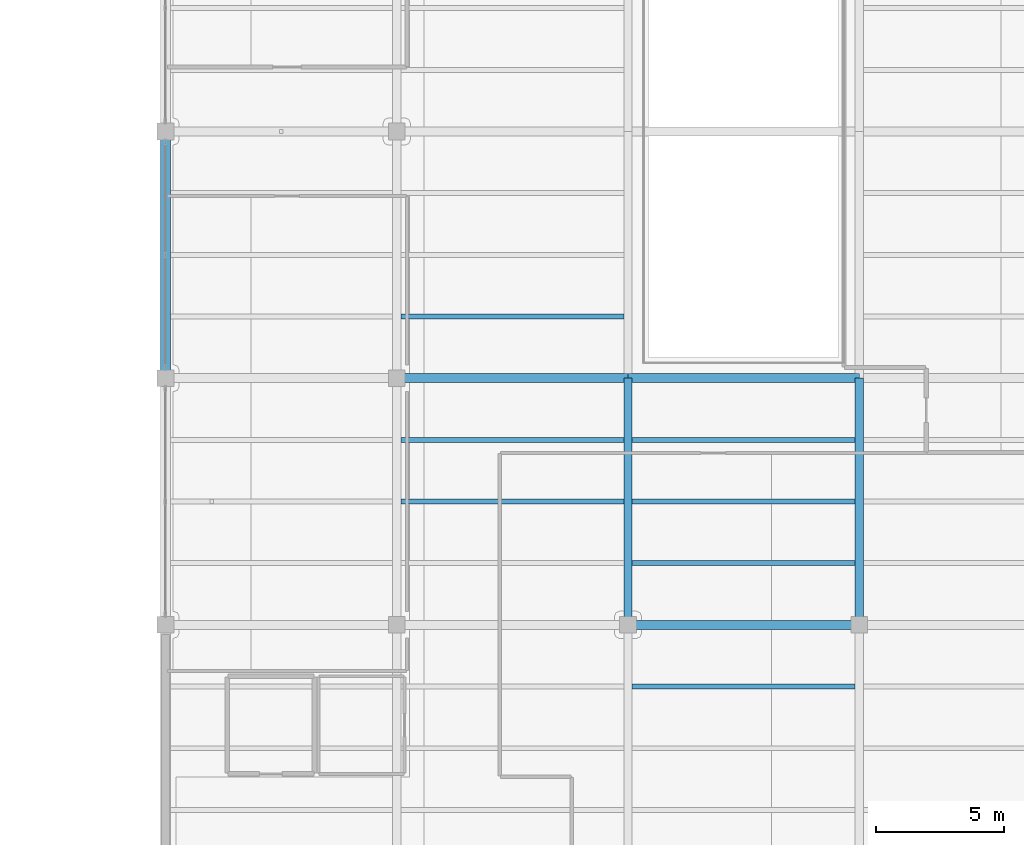
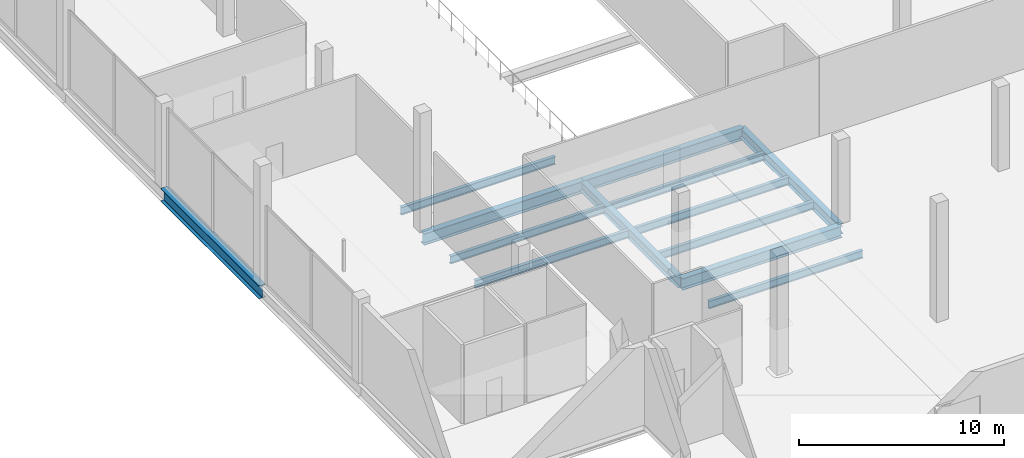
# One storey, part 6 of 43: 13 beams.
"""IFC4 building model written with IfcOpenShell, lengths in metres."""

from ifc_helpers import new_model, si_unit, direction, frame, origin, origin_2d, place, context, subcontext, project, spatial, i_section, extrude, material, material_profile, profile_set, type_object, element, save


model = new_model("IFC4")

# Units and contexts
model_context = context("Model", 3, precision=1e-05, world=origin(), true_north=direction((0.0, 1.0)))
body_context = subcontext(model_context, "Body", "Model", "MODEL_VIEW")
ifc_project = project(units=[si_unit("LENGTHUNIT", "METRE"), si_unit("AREAUNIT", "SQUARE_METRE"), si_unit("VOLUMEUNIT", "CUBIC_METRE"), si_unit("PLANEANGLEUNIT", "RADIAN"), si_unit("MASSUNIT", "GRAM", prefix="KILO")], contexts=[model_context])

# Site, building, storey
site_placement = place(None, origin())
site = spatial("IfcSite", under=ifc_project, at=site_placement, CompositionType="ELEMENT")
building_placement = place(site_placement, origin())
building = spatial("IfcBuilding", under=site, at=building_placement, Name="Qorvath Tower", CompositionType="ELEMENT")
storey_placement = place(building_placement, frame((0.0, 0.0, 22.0)))
storey = spatial("IfcBuildingStorey", under=building, at=storey_placement, Name="L04", CompositionType="ELEMENT", Elevation=22.0)

# Beams
ifc_material_1 = material(Name="Steel ASTM A992 Grade 50", Category="steel")
ifc_material_profile_1 = material_profile(ifc_material_1, i_section(OverallWidth=0.381103515625, OverallDepth=0.77294921875, WebThickness=0.0166015625, FlangeThickness=0.027099609375, FilletRadius=0.01904296875, at=origin_2d()), Name="W30x173")
ifc_profile_set_1 = profile_set([ifc_material_profile_1], Name="Steel ASTM A992 Grade 50")
beam_type_1 = type_object("IfcBeamType", Name="BM-FG3", PredefinedType="BEAM", material=ifc_profile_set_1)
beam_placement = place(storey_placement, frame((32.39990234375, -9.60009765625, -0.646484375), z_axis=(0.0, 1.0, 0.0), x_axis=(-1.0, 0.0, 0.0)))
element("IfcBeam", 1, at=beam_placement, inside=storey, type_object=beam_type_1, Name="Library N-S Girder L04-1-4", PredefinedType="BEAM", context=body_context, shape_type="SweptSolid", body=[
    extrude(i_section(OverallWidth=0.381103515625, OverallDepth=0.77294921875, WebThickness=0.0166015625, FlangeThickness=0.027099609375, FilletRadius=0.01904296875, at=origin_2d()), origin(), (0.0, 0.0, 1.0), 9.60009765625),
])
ifc_material_2 = material(Name="Steel ASTM A992 Grade 50", Category="steel")
ifc_material_profile_2 = material_profile(ifc_material_2, i_section(OverallWidth=0.35595703125, OverallDepth=0.696044921875, WebThickness=0.015380859375, FlangeThickness=0.02490234375, FilletRadius=0.01806640625, at=origin_2d()), Name="W27x146")
ifc_profile_set_2 = profile_set([ifc_material_profile_2], Name="Steel ASTM A992 Grade 50")
beam_type_2 = type_object("IfcBeamType", Name="BM-FG4", PredefinedType="BEAM", material=ifc_profile_set_2)
for number, where, z_axis, x_axis, name in (
    (2, (50.39990234375, -19.199951171875, -0.60791015625), (1.0, 0.0, 0.0), (0.0, 1.0, 0.0), "Library E-W Girder L04-3-3"),
    (3, (41.39990234375, -9.60009765625, -0.60791015625), (1.0, 0.0, 0.0), (0.0, 1.0, 0.0), "Library E-W Girder L04-4-2"),
    (4, (50.39990234375, -9.60009765625, -0.60791015625), (1.0, 0.0, 0.0), (0.0, 1.0, 0.0), "Library E-W Girder L04-4-3"),
):
    element("IfcBeam", number, at=place(storey_placement, frame(where, z_axis=z_axis, x_axis=x_axis)), inside=storey, type_object=beam_type_2, Name=name, PredefinedType="BEAM", context=body_context, shape_type="SweptSolid", body=[
        extrude(i_section(OverallWidth=0.35595703125, OverallDepth=0.696044921875, WebThickness=0.015380859375, FlangeThickness=0.02490234375, FilletRadius=0.01806640625, at=origin_2d()), origin(), (0.0, 0.0, 1.0), 9.0),
    ])
ifc_material_3 = material(Name="Steel ASTM A992 Grade 50", Category="steel")
ifc_material_profile_3 = material_profile(ifc_material_3, i_section(OverallWidth=0.324951171875, OverallDepth=0.615966796875, WebThickness=0.013916015625, FlangeThickness=0.021484375, FilletRadius=0.01611328125, at=origin_2d()), Name="W24x117")
ifc_profile_set_3 = profile_set([ifc_material_profile_3], Name="Steel ASTM A992 Grade 50")
beam_type_3 = type_object("IfcBeamType", Name="BM-FG5", PredefinedType="BEAM", material=ifc_profile_set_3)
for number, where, z_axis, x_axis, name in (
    (5, (50.39990234375, -19.199951171875, -0.568115234375), (0.0, 1.0, 0.0), (-1.0, 0.0, 0.0), "Library N-S Girder L04-3-3"),
    (6, (59.39990234375, -19.199951171875, -0.568115234375), (0.0, 1.0, 0.0), (-1.0, 0.0, 0.0), "Library N-S Girder L04-4-3"),
):
    element("IfcBeam", number, at=place(storey_placement, frame(where, z_axis=z_axis, x_axis=x_axis)), inside=storey, type_object=beam_type_3, Name=name, PredefinedType="BEAM", context=body_context, shape_type="SweptSolid", body=[
        extrude(i_section(OverallWidth=0.324951171875, OverallDepth=0.615966796875, WebThickness=0.013916015625, FlangeThickness=0.021484375, FilletRadius=0.01611328125, at=origin_2d()), origin(), (0.0, 0.0, 1.0), 9.599853515625),
    ])
ifc_material_4 = material(Name="Steel ASTM A992 Grade 50", Category="steel")
ifc_material_profile_4 = material_profile(ifc_material_4, i_section(OverallWidth=0.18994140625, OverallDepth=0.45703125, WebThickness=0.009033203125, FlangeThickness=0.014404296875, FilletRadius=0.011962890625, at=origin_2d()), Name="W18x50")
ifc_profile_set_4 = profile_set([ifc_material_profile_4], Name="Steel ASTM A992 Grade 50")
beam_type_4 = type_object("IfcBeamType", Name="BM-FJ2", PredefinedType="JOIST", material=ifc_profile_set_4)
for number, where, z_axis, x_axis, name in (
    (7, (50.560546875, -21.60009765625, -0.488525390625), (1.0, 0.0, 0.0), (0.0, 1.0, 0.0), "Library Stack Joist L04-2.3-3"),
    (8, (50.560546875, -16.800048828125, -0.488525390625), (1.0, 0.0, 0.0), (0.0, 1.0, 0.0), "Library Stack Joist L04-3.1-3"),
    (9, (41.560546875, -14.39990234375, -0.488525390625), (1.0, 0.0, 0.0), (0.0, 1.0, 0.0), "Library Stack Joist L04-3.2-2"),
    (10, (50.560546875, -14.39990234375, -0.488525390625), (1.0, 0.0, 0.0), (0.0, 1.0, 0.0), "Library Stack Joist L04-3.2-3"),
    (11, (41.560546875, -12.0, -0.488525390625), (1.0, 0.0, 0.0), (0.0, 1.0, 0.0), "Library Stack Joist L04-3.3-2"),
    (12, (50.560546875, -12.0, -0.488525390625), (1.0, 0.0, 0.0), (0.0, 1.0, 0.0), "Library Stack Joist L04-3.3-3"),
    (13, (41.560546875, -7.199951171875, -0.488525390625), (1.0, 0.0, 0.0), (0.0, 1.0, 0.0), "Library Stack Joist L04-4.1-2"),
):
    element("IfcBeam", number, at=place(storey_placement, frame(where, z_axis=z_axis, x_axis=x_axis)), inside=storey, type_object=beam_type_4, Name=name, PredefinedType="JOIST", context=body_context, shape_type="SweptSolid", body=[
        extrude(i_section(OverallWidth=0.18994140625, OverallDepth=0.45703125, WebThickness=0.009033203125, FlangeThickness=0.014404296875, FilletRadius=0.011962890625, at=origin_2d()), origin(), (0.0, 0.0, 1.0), 8.678955078125),
    ])

save(model, "model.ifc")
